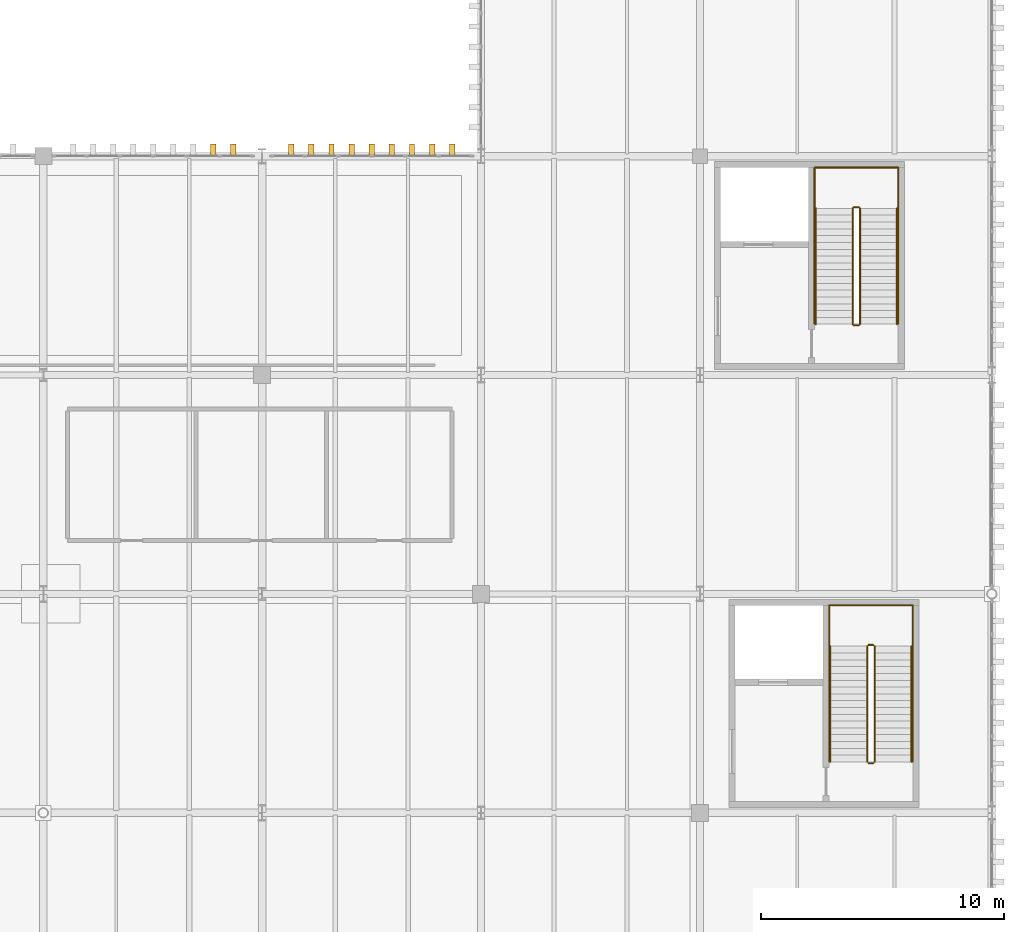
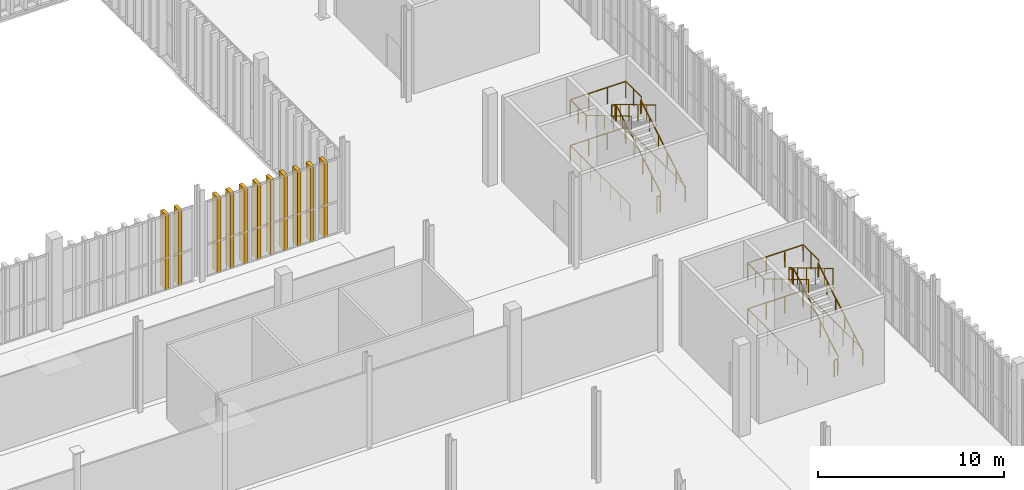
# One storey, part 202 of 211: 24 railings, 11 shading devices.
"""IFC4 building model written with IfcOpenShell, lengths in metres."""

from ifc_helpers import new_model, si_unit, direction, frame, origin, origin_2d, place, context, subcontext, project, spatial, rectangle, circle, extrude, material, type_object, element, save


model = new_model("IFC4")

# Units and contexts
model_context = context("Model", 3, precision=1e-05, world=origin(), true_north=direction((0.0, 1.0)))
body_context = subcontext(model_context, "Body", "Model", "MODEL_VIEW")
ifc_project = project(units=[si_unit("LENGTHUNIT", "METRE"), si_unit("AREAUNIT", "SQUARE_METRE"), si_unit("VOLUMEUNIT", "CUBIC_METRE"), si_unit("PLANEANGLEUNIT", "RADIAN"), si_unit("MASSUNIT", "GRAM", prefix="KILO")], contexts=[model_context])

# Site, building, storey
site_placement = place(None, origin())
site = spatial("IfcSite", under=ifc_project, at=site_placement, CompositionType="ELEMENT")
building_placement = place(site_placement, origin())
building = spatial("IfcBuilding", under=site, at=building_placement, Name="Barlavento Convention Centre", CompositionType="ELEMENT")
storey_placement = place(building_placement, frame((0.0, 0.0, 6.0)))
storey = spatial("IfcBuildingStorey", under=building, at=storey_placement, Name="L01", CompositionType="ELEMENT", Elevation=6.0)

# Railings
ifc_material_1 = material(Name="Stainless steel and laminated glass balustrade", Category="steel")
railing_type_1 = type_object("IfcRailingType", Name="ARC-RAL-BAL-1100", PredefinedType="BALUSTRADE", material=ifc_material_1)
railing_1_placement = place(storey_placement, frame((186.580078125, 56.090087890625, 0.166748046875)))
element("IfcRailing", 1, at=railing_1_placement, inside=storey, type_object=railing_type_1, Name="L01 ST05 stair guard 1", PredefinedType="BALUSTRADE", context=body_context, shape_type="SweptSolid", body=[
    extrude(circle(Radius=0.02392578125, at=origin_2d()), frame((0.0, 0.0, 1.076171875), z_axis=(0.0, 0.859299802514, 0.511472237174), x_axis=(-1.0, 0.0, 0.0)), (0.0, 0.0, 1.0), 5.539306640625),
    extrude(circle(Radius=0.02099609375, at=origin_2d()), origin(), (0.0, 0.0, 1.0), 1.052001953125),
    extrude(circle(Radius=0.02099609375, at=origin_2d()), frame((0.0, 0.951904296875, 0.566650390625)), (0.0, 0.0, 1.0), 1.052001953125),
    extrude(circle(Radius=0.02099609375, at=origin_2d()), frame((0.0, 1.904052734375, 1.13330078125)), (0.0, 0.0, 1.0), 1.052001953125),
    extrude(circle(Radius=0.02099609375, at=origin_2d()), frame((0.0, 2.85595703125, 1.699951171875)), (0.0, 0.0, 1.0), 1.052001953125),
    extrude(circle(Radius=0.02099609375, at=origin_2d()), frame((0.0, 3.80810546875, 2.2666015625)), (0.0, 0.0, 1.0), 1.052001953125),
    extrude(circle(Radius=0.02099609375, at=origin_2d()), frame((0.0, 4.760009765625, 2.833251953125)), (0.0, 0.0, 1.0), 1.052001953125),
])
railing_2_placement = place(storey_placement, frame((186.530029296875, 60.89990234375, 3.0)))
element("IfcRailing", 2, at=railing_2_placement, inside=storey, type_object=railing_type_1, Name="L01 ST05 stair guard 2", PredefinedType="BALUSTRADE", context=body_context, shape_type="SweptSolid", body=[
    extrude(circle(Radius=0.02392578125, at=origin_2d()), frame((0.0, 0.0, 1.076171875), z_axis=(-1.0, 0.0, 0.0), x_axis=(0.0, -1.0, 0.0)), (0.0, 0.0, 1.0), 0.199951171875),
    extrude(circle(Radius=0.02099609375, at=origin_2d()), origin(), (0.0, 0.0, 1.0), 1.052001953125),
    extrude(circle(Radius=0.02099609375, at=origin_2d()), frame((-0.199951171875, 0.0, 0.0)), (0.0, 0.0, 1.0), 1.052001953125),
])
railing_3_placement = place(storey_placement, frame((186.280029296875, 60.85009765625, 3.166748046875)))
element("IfcRailing", 3, at=railing_3_placement, inside=storey, type_object=railing_type_1, Name="L01 ST05 stair guard 3", PredefinedType="BALUSTRADE", context=body_context, shape_type="SweptSolid", body=[
    extrude(circle(Radius=0.02392578125, at=origin_2d()), frame((0.0, 0.0, 1.076171875), z_axis=(0.0, -0.859299802514, 0.511472237174), x_axis=(1.0, 0.0, 0.0)), (0.0, 0.0, 1.0), 5.539306640625),
    extrude(circle(Radius=0.02099609375, at=origin_2d()), origin(), (0.0, 0.0, 1.0), 1.052001953125),
    extrude(circle(Radius=0.02099609375, at=origin_2d()), frame((0.0, -0.951904296875, 0.566650390625)), (0.0, 0.0, 1.0), 1.052001953125),
    extrude(circle(Radius=0.02099609375, at=origin_2d()), frame((0.0, -1.904052734375, 1.13330078125)), (0.0, 0.0, 1.0), 1.052001953125),
    extrude(circle(Radius=0.02099609375, at=origin_2d()), frame((0.0, -2.85595703125, 1.699951171875)), (0.0, 0.0, 1.0), 1.052001953125),
    extrude(circle(Radius=0.02099609375, at=origin_2d()), frame((0.0, -3.80810546875, 2.2666015625)), (0.0, 0.0, 1.0), 1.052001953125),
    extrude(circle(Radius=0.02099609375, at=origin_2d()), frame((0.0, -4.760009765625, 2.833251953125)), (0.0, 0.0, 1.0), 1.052001953125),
])
railing_4_placement = place(storey_placement, frame((186.530029296875, 56.0400390625, 0.0)))
element("IfcRailing", 4, at=railing_4_placement, inside=storey, type_object=railing_type_1, Name="L01 ST05 stair guard 4", PredefinedType="BALUSTRADE", context=body_context, shape_type="SweptSolid", body=[
    extrude(circle(Radius=0.02392578125, at=origin_2d()), frame((0.0, 0.0, 1.076171875), z_axis=(-1.0, 0.0, 0.0), x_axis=(0.0, -1.0, 0.0)), (0.0, 0.0, 1.0), 0.199951171875),
    extrude(circle(Radius=0.02099609375, at=origin_2d()), origin(), (0.0, 0.0, 1.0), 1.052001953125),
    extrude(circle(Radius=0.02099609375, at=origin_2d()), frame((-0.199951171875, 0.0, 0.0)), (0.0, 0.0, 1.0), 1.052001953125),
])
for number, where, name in (
    (5, (188.14990234375, 60.85009765625, 3.0), "L01 landing guard GR01"),
    (6, (184.7099609375, 60.85009765625, 3.0), "L01 landing guard GR01"),
):
    element("IfcRailing", number, at=place(storey_placement, frame(where)), inside=storey, type_object=railing_type_1, Name=name, PredefinedType="BALUSTRADE", context=body_context, shape_type="SweptSolid", body=[
        extrude(circle(Radius=0.02392578125, at=origin_2d()), frame((0.0, 0.0, 1.076171875), z_axis=(0.0, 1.0, 0.0), x_axis=(-1.0, 0.0, 0.0)), (0.0, 0.0, 1.0), 1.679931640625),
        extrude(circle(Radius=0.02099609375, at=origin_2d()), origin(), (0.0, 0.0, 1.0), 1.052001953125),
        extrude(circle(Radius=0.02099609375, at=origin_2d()), frame((0.0, 0.83984375, 0.0)), (0.0, 0.0, 1.0), 1.052001953125),
        extrude(circle(Radius=0.02099609375, at=origin_2d()), frame((0.0, 1.679931640625, 0.0)), (0.0, 0.0, 1.0), 1.052001953125),
    ])
railing_5_placement = place(storey_placement, frame((188.14990234375, 62.530029296875, 3.0)))
element("IfcRailing", 7, at=railing_5_placement, inside=storey, type_object=railing_type_1, Name="L01 landing guard GR01", PredefinedType="BALUSTRADE", context=body_context, shape_type="SweptSolid", body=[
    extrude(circle(Radius=0.02392578125, at=origin_2d()), frame((0.0, 0.0, 1.076171875), z_axis=(-1.0, 0.0, 0.0), x_axis=(0.0, -1.0, 0.0)), (0.0, 0.0, 1.0), 3.43994140625),
    extrude(circle(Radius=0.02099609375, at=origin_2d()), origin(), (0.0, 0.0, 1.0), 1.052001953125),
    extrude(circle(Radius=0.02099609375, at=origin_2d()), frame((-1.146728515625, 0.0, 0.0)), (0.0, 0.0, 1.0), 1.052001953125),
    extrude(circle(Radius=0.02099609375, at=origin_2d()), frame((-2.293212890625, 0.0, 0.0)), (0.0, 0.0, 1.0), 1.052001953125),
    extrude(circle(Radius=0.02099609375, at=origin_2d()), frame((-3.43994140625, 0.0, 0.0)), (0.0, 0.0, 1.0), 1.052001953125),
])
railing_6_placement = place(storey_placement, frame((188.14990234375, 56.114990234375, 0.0)))
element("IfcRailing", 8, at=railing_6_placement, inside=storey, type_object=railing_type_1, Name="L01 stairwell perimeter guard GR01", PredefinedType="BALUSTRADE", context=body_context, shape_type="SweptSolid", body=[
    extrude(circle(Radius=0.02392578125, at=origin_2d()), frame((0.0, 0.0, 1.076171875), z_axis=(0.0, 1.0, 0.0), x_axis=(-1.0, 0.0, 0.0)), (0.0, 0.0, 1.0), 6.4150390625),
    extrude(circle(Radius=0.02099609375, at=origin_2d()), origin(), (0.0, 0.0, 1.0), 1.052001953125),
    extrude(circle(Radius=0.02099609375, at=origin_2d()), frame((0.0, 1.069091796875, 0.0)), (0.0, 0.0, 1.0), 1.052001953125),
    extrude(circle(Radius=0.02099609375, at=origin_2d()), frame((0.0, 2.138427734375, 0.0)), (0.0, 0.0, 1.0), 1.052001953125),
    extrude(circle(Radius=0.02099609375, at=origin_2d()), frame((0.0, 3.20751953125, 0.0)), (0.0, 0.0, 1.0), 1.052001953125),
    extrude(circle(Radius=0.02099609375, at=origin_2d()), frame((0.0, 4.276611328125, 0.0)), (0.0, 0.0, 1.0), 1.052001953125),
    extrude(circle(Radius=0.02099609375, at=origin_2d()), frame((0.0, 5.345947265625, 0.0)), (0.0, 0.0, 1.0), 1.052001953125),
    extrude(circle(Radius=0.02099609375, at=origin_2d()), frame((0.0, 6.4150390625, 0.0)), (0.0, 0.0, 1.0), 1.052001953125),
])
railing_7_placement = place(storey_placement, frame((188.14990234375, 62.530029296875, 0.0)))
element("IfcRailing", 9, at=railing_7_placement, inside=storey, type_object=railing_type_1, Name="L01 stairwell perimeter guard GR01", PredefinedType="BALUSTRADE", context=body_context, shape_type="SweptSolid", body=[
    extrude(circle(Radius=0.02392578125, at=origin_2d()), frame((0.0, 0.0, 1.076171875), z_axis=(-1.0, 0.0, 0.0), x_axis=(0.0, -1.0, 0.0)), (0.0, 0.0, 1.0), 3.43994140625),
    extrude(circle(Radius=0.02099609375, at=origin_2d()), origin(), (0.0, 0.0, 1.0), 1.052001953125),
    extrude(circle(Radius=0.02099609375, at=origin_2d()), frame((-1.146728515625, 0.0, 0.0)), (0.0, 0.0, 1.0), 1.052001953125),
    extrude(circle(Radius=0.02099609375, at=origin_2d()), frame((-2.293212890625, 0.0, 0.0)), (0.0, 0.0, 1.0), 1.052001953125),
    extrude(circle(Radius=0.02099609375, at=origin_2d()), frame((-3.43994140625, 0.0, 0.0)), (0.0, 0.0, 1.0), 1.052001953125),
])
railing_8_placement = place(storey_placement, frame((184.7099609375, 62.530029296875, 0.0)))
element("IfcRailing", 10, at=railing_8_placement, inside=storey, type_object=railing_type_1, Name="L01 stairwell perimeter guard GR01", PredefinedType="BALUSTRADE", context=body_context, shape_type="SweptSolid", body=[
    extrude(circle(Radius=0.02392578125, at=origin_2d()), frame((0.0, 0.0, 1.076171875), z_axis=(0.0, -1.0, 0.0), x_axis=(1.0, 0.0, 0.0)), (0.0, 0.0, 1.0), 6.4150390625),
    extrude(circle(Radius=0.02099609375, at=origin_2d()), origin(), (0.0, 0.0, 1.0), 1.052001953125),
    extrude(circle(Radius=0.02099609375, at=origin_2d()), frame((0.0, -1.069091796875, 0.0)), (0.0, 0.0, 1.0), 1.052001953125),
    extrude(circle(Radius=0.02099609375, at=origin_2d()), frame((0.0, -2.138427734375, 0.0)), (0.0, 0.0, 1.0), 1.052001953125),
    extrude(circle(Radius=0.02099609375, at=origin_2d()), frame((0.0, -3.20751953125, 0.0)), (0.0, 0.0, 1.0), 1.052001953125),
    extrude(circle(Radius=0.02099609375, at=origin_2d()), frame((0.0, -4.276611328125, 0.0)), (0.0, 0.0, 1.0), 1.052001953125),
    extrude(circle(Radius=0.02099609375, at=origin_2d()), frame((0.0, -5.345947265625, 0.0)), (0.0, 0.0, 1.0), 1.052001953125),
    extrude(circle(Radius=0.02099609375, at=origin_2d()), frame((0.0, -6.4150390625, 0.0)), (0.0, 0.0, 1.0), 1.052001953125),
])
railing_9_placement = place(storey_placement, frame((187.179931640625, 38.090087890625, 0.166748046875)))
element("IfcRailing", 11, at=railing_9_placement, inside=storey, type_object=railing_type_1, Name="L01 ST06 stair guard 1", PredefinedType="BALUSTRADE", context=body_context, shape_type="SweptSolid", body=[
    extrude(circle(Radius=0.02392578125, at=origin_2d()), frame((0.0, 0.0, 1.076171875), z_axis=(0.0, 0.859299802514, 0.511472237174), x_axis=(-1.0, 0.0, 0.0)), (0.0, 0.0, 1.0), 5.539306640625),
    extrude(circle(Radius=0.02099609375, at=origin_2d()), origin(), (0.0, 0.0, 1.0), 1.052001953125),
    extrude(circle(Radius=0.02099609375, at=origin_2d()), frame((0.0, 0.951904296875, 0.566650390625)), (0.0, 0.0, 1.0), 1.052001953125),
    extrude(circle(Radius=0.02099609375, at=origin_2d()), frame((0.0, 1.904052734375, 1.13330078125)), (0.0, 0.0, 1.0), 1.052001953125),
    extrude(circle(Radius=0.02099609375, at=origin_2d()), frame((0.0, 2.85595703125, 1.699951171875)), (0.0, 0.0, 1.0), 1.052001953125),
    extrude(circle(Radius=0.02099609375, at=origin_2d()), frame((0.0, 3.80810546875, 2.2666015625)), (0.0, 0.0, 1.0), 1.052001953125),
    extrude(circle(Radius=0.02099609375, at=origin_2d()), frame((0.0, 4.760009765625, 2.833251953125)), (0.0, 0.0, 1.0), 1.052001953125),
])
railing_10_placement = place(storey_placement, frame((187.1298828125, 42.89990234375, 3.0)))
element("IfcRailing", 12, at=railing_10_placement, inside=storey, type_object=railing_type_1, Name="L01 ST06 stair guard 2", PredefinedType="BALUSTRADE", context=body_context, shape_type="SweptSolid", body=[
    extrude(circle(Radius=0.02392578125, at=origin_2d()), frame((0.0, 0.0, 1.076171875), z_axis=(-1.0, 0.0, 0.0), x_axis=(0.0, -1.0, 0.0)), (0.0, 0.0, 1.0), 0.199951171875),
    extrude(circle(Radius=0.02099609375, at=origin_2d()), origin(), (0.0, 0.0, 1.0), 1.052001953125),
    extrude(circle(Radius=0.02099609375, at=origin_2d()), frame((-0.199951171875, 0.0, 0.0)), (0.0, 0.0, 1.0), 1.052001953125),
])
railing_11_placement = place(storey_placement, frame((186.8798828125, 42.85009765625, 3.166748046875)))
element("IfcRailing", 13, at=railing_11_placement, inside=storey, type_object=railing_type_1, Name="L01 ST06 stair guard 3", PredefinedType="BALUSTRADE", context=body_context, shape_type="SweptSolid", body=[
    extrude(circle(Radius=0.02392578125, at=origin_2d()), frame((0.0, 0.0, 1.076171875), z_axis=(0.0, -0.859299802514, 0.511472237174), x_axis=(1.0, 0.0, 0.0)), (0.0, 0.0, 1.0), 5.539306640625),
    extrude(circle(Radius=0.02099609375, at=origin_2d()), origin(), (0.0, 0.0, 1.0), 1.052001953125),
    extrude(circle(Radius=0.02099609375, at=origin_2d()), frame((0.0, -0.951904296875, 0.566650390625)), (0.0, 0.0, 1.0), 1.052001953125),
    extrude(circle(Radius=0.02099609375, at=origin_2d()), frame((0.0, -1.904052734375, 1.13330078125)), (0.0, 0.0, 1.0), 1.052001953125),
    extrude(circle(Radius=0.02099609375, at=origin_2d()), frame((0.0, -2.85595703125, 1.699951171875)), (0.0, 0.0, 1.0), 1.052001953125),
    extrude(circle(Radius=0.02099609375, at=origin_2d()), frame((0.0, -3.80810546875, 2.2666015625)), (0.0, 0.0, 1.0), 1.052001953125),
    extrude(circle(Radius=0.02099609375, at=origin_2d()), frame((0.0, -4.760009765625, 2.833251953125)), (0.0, 0.0, 1.0), 1.052001953125),
])
railing_12_placement = place(storey_placement, frame((187.1298828125, 38.0400390625, 0.0)))
element("IfcRailing", 14, at=railing_12_placement, inside=storey, type_object=railing_type_1, Name="L01 ST06 stair guard 4", PredefinedType="BALUSTRADE", context=body_context, shape_type="SweptSolid", body=[
    extrude(circle(Radius=0.02392578125, at=origin_2d()), frame((0.0, 0.0, 1.076171875), z_axis=(-1.0, 0.0, 0.0), x_axis=(0.0, -1.0, 0.0)), (0.0, 0.0, 1.0), 0.199951171875),
    extrude(circle(Radius=0.02099609375, at=origin_2d()), origin(), (0.0, 0.0, 1.0), 1.052001953125),
    extrude(circle(Radius=0.02099609375, at=origin_2d()), frame((-0.199951171875, 0.0, 0.0)), (0.0, 0.0, 1.0), 1.052001953125),
])
for number, where, name in (
    (15, (188.75, 42.85009765625, 3.0), "L01 landing guard GR01"),
    (16, (185.31005859375, 42.85009765625, 3.0), "L01 landing guard GR01"),
):
    element("IfcRailing", number, at=place(storey_placement, frame(where)), inside=storey, type_object=railing_type_1, Name=name, PredefinedType="BALUSTRADE", context=body_context, shape_type="SweptSolid", body=[
        extrude(circle(Radius=0.02392578125, at=origin_2d()), frame((0.0, 0.0, 1.076171875), z_axis=(0.0, 1.0, 0.0), x_axis=(-1.0, 0.0, 0.0)), (0.0, 0.0, 1.0), 1.679931640625),
        extrude(circle(Radius=0.02099609375, at=origin_2d()), origin(), (0.0, 0.0, 1.0), 1.052001953125),
        extrude(circle(Radius=0.02099609375, at=origin_2d()), frame((0.0, 0.83984375, 0.0)), (0.0, 0.0, 1.0), 1.052001953125),
        extrude(circle(Radius=0.02099609375, at=origin_2d()), frame((0.0, 1.679931640625, 0.0)), (0.0, 0.0, 1.0), 1.052001953125),
    ])
railing_13_placement = place(storey_placement, frame((188.75, 44.530029296875, 3.0)))
element("IfcRailing", 17, at=railing_13_placement, inside=storey, type_object=railing_type_1, Name="L01 landing guard GR01", PredefinedType="BALUSTRADE", context=body_context, shape_type="SweptSolid", body=[
    extrude(circle(Radius=0.02392578125, at=origin_2d()), frame((0.0, 0.0, 1.076171875), z_axis=(-1.0, 0.0, 0.0), x_axis=(0.0, -1.0, 0.0)), (0.0, 0.0, 1.0), 3.43994140625),
    extrude(circle(Radius=0.02099609375, at=origin_2d()), origin(), (0.0, 0.0, 1.0), 1.052001953125),
    extrude(circle(Radius=0.02099609375, at=origin_2d()), frame((-1.146728515625, 0.0, 0.0)), (0.0, 0.0, 1.0), 1.052001953125),
    extrude(circle(Radius=0.02099609375, at=origin_2d()), frame((-2.293212890625, 0.0, 0.0)), (0.0, 0.0, 1.0), 1.052001953125),
    extrude(circle(Radius=0.02099609375, at=origin_2d()), frame((-3.43994140625, 0.0, 0.0)), (0.0, 0.0, 1.0), 1.052001953125),
])
railing_14_placement = place(storey_placement, frame((188.75, 38.114990234375, 0.0)))
element("IfcRailing", 18, at=railing_14_placement, inside=storey, type_object=railing_type_1, Name="L01 stairwell perimeter guard GR01", PredefinedType="BALUSTRADE", context=body_context, shape_type="SweptSolid", body=[
    extrude(circle(Radius=0.02392578125, at=origin_2d()), frame((0.0, 0.0, 1.076171875), z_axis=(0.0, 1.0, 0.0), x_axis=(-1.0, 0.0, 0.0)), (0.0, 0.0, 1.0), 6.4150390625),
    extrude(circle(Radius=0.02099609375, at=origin_2d()), origin(), (0.0, 0.0, 1.0), 1.052001953125),
    extrude(circle(Radius=0.02099609375, at=origin_2d()), frame((0.0, 1.069091796875, 0.0)), (0.0, 0.0, 1.0), 1.052001953125),
    extrude(circle(Radius=0.02099609375, at=origin_2d()), frame((0.0, 2.138427734375, 0.0)), (0.0, 0.0, 1.0), 1.052001953125),
    extrude(circle(Radius=0.02099609375, at=origin_2d()), frame((0.0, 3.20751953125, 0.0)), (0.0, 0.0, 1.0), 1.052001953125),
    extrude(circle(Radius=0.02099609375, at=origin_2d()), frame((0.0, 4.276611328125, 0.0)), (0.0, 0.0, 1.0), 1.052001953125),
    extrude(circle(Radius=0.02099609375, at=origin_2d()), frame((0.0, 5.345947265625, 0.0)), (0.0, 0.0, 1.0), 1.052001953125),
    extrude(circle(Radius=0.02099609375, at=origin_2d()), frame((0.0, 6.4150390625, 0.0)), (0.0, 0.0, 1.0), 1.052001953125),
])
railing_15_placement = place(storey_placement, frame((188.75, 44.530029296875, 0.0)))
element("IfcRailing", 19, at=railing_15_placement, inside=storey, type_object=railing_type_1, Name="L01 stairwell perimeter guard GR01", PredefinedType="BALUSTRADE", context=body_context, shape_type="SweptSolid", body=[
    extrude(circle(Radius=0.02392578125, at=origin_2d()), frame((0.0, 0.0, 1.076171875), z_axis=(-1.0, 0.0, 0.0), x_axis=(0.0, -1.0, 0.0)), (0.0, 0.0, 1.0), 3.43994140625),
    extrude(circle(Radius=0.02099609375, at=origin_2d()), origin(), (0.0, 0.0, 1.0), 1.052001953125),
    extrude(circle(Radius=0.02099609375, at=origin_2d()), frame((-1.146728515625, 0.0, 0.0)), (0.0, 0.0, 1.0), 1.052001953125),
    extrude(circle(Radius=0.02099609375, at=origin_2d()), frame((-2.293212890625, 0.0, 0.0)), (0.0, 0.0, 1.0), 1.052001953125),
    extrude(circle(Radius=0.02099609375, at=origin_2d()), frame((-3.43994140625, 0.0, 0.0)), (0.0, 0.0, 1.0), 1.052001953125),
])
railing_16_placement = place(storey_placement, frame((185.31005859375, 44.530029296875, 0.0)))
element("IfcRailing", 20, at=railing_16_placement, inside=storey, type_object=railing_type_1, Name="L01 stairwell perimeter guard GR01", PredefinedType="BALUSTRADE", context=body_context, shape_type="SweptSolid", body=[
    extrude(circle(Radius=0.02392578125, at=origin_2d()), frame((0.0, 0.0, 1.076171875), z_axis=(0.0, -1.0, 0.0), x_axis=(1.0, 0.0, 0.0)), (0.0, 0.0, 1.0), 6.4150390625),
    extrude(circle(Radius=0.02099609375, at=origin_2d()), origin(), (0.0, 0.0, 1.0), 1.052001953125),
    extrude(circle(Radius=0.02099609375, at=origin_2d()), frame((0.0, -1.069091796875, 0.0)), (0.0, 0.0, 1.0), 1.052001953125),
    extrude(circle(Radius=0.02099609375, at=origin_2d()), frame((0.0, -2.138427734375, 0.0)), (0.0, 0.0, 1.0), 1.052001953125),
    extrude(circle(Radius=0.02099609375, at=origin_2d()), frame((0.0, -3.20751953125, 0.0)), (0.0, 0.0, 1.0), 1.052001953125),
    extrude(circle(Radius=0.02099609375, at=origin_2d()), frame((0.0, -4.276611328125, 0.0)), (0.0, 0.0, 1.0), 1.052001953125),
    extrude(circle(Radius=0.02099609375, at=origin_2d()), frame((0.0, -5.345947265625, 0.0)), (0.0, 0.0, 1.0), 1.052001953125),
    extrude(circle(Radius=0.02099609375, at=origin_2d()), frame((0.0, -6.4150390625, 0.0)), (0.0, 0.0, 1.0), 1.052001953125),
])
ifc_material_2 = material(Name="Brushed stainless steel tubular handrail", Category="steel")
railing_type_2 = type_object("IfcRailingType", Name="ARC-RAL-HR-900", PredefinedType="HANDRAIL", material=ifc_material_2)
railing_17_placement = place(storey_placement, frame((188.10009765625, 56.090087890625, 0.166748046875)))
element("IfcRailing", 21, at=railing_17_placement, inside=storey, type_object=railing_type_2, Name="L01 ST05 stair handrail 1", PredefinedType="HANDRAIL", context=body_context, shape_type="SweptSolid", body=[
    extrude(circle(Radius=0.02392578125, at=origin_2d()), frame((0.0, 0.0, 0.8759765625), z_axis=(0.0, 0.859299802514, 0.511472237174), x_axis=(-1.0, 0.0, 0.0)), (0.0, 0.0, 1.0), 5.539306640625),
    extrude(circle(Radius=0.02099609375, at=origin_2d()), origin(), (0.0, 0.0, 1.0), 0.851806640625),
    extrude(circle(Radius=0.02099609375, at=origin_2d()), frame((0.0, 0.951904296875, 0.566650390625)), (0.0, 0.0, 1.0), 0.851806640625),
    extrude(circle(Radius=0.02099609375, at=origin_2d()), frame((0.0, 1.904052734375, 1.13330078125)), (0.0, 0.0, 1.0), 0.851806640625),
    extrude(circle(Radius=0.02099609375, at=origin_2d()), frame((0.0, 2.85595703125, 1.699951171875)), (0.0, 0.0, 1.0), 0.851806640625),
    extrude(circle(Radius=0.02099609375, at=origin_2d()), frame((0.0, 3.80810546875, 2.2666015625)), (0.0, 0.0, 1.0), 0.851806640625),
    extrude(circle(Radius=0.02099609375, at=origin_2d()), frame((0.0, 4.760009765625, 2.833251953125)), (0.0, 0.0, 1.0), 0.851806640625),
])
railing_18_placement = place(storey_placement, frame((184.760009765625, 60.85009765625, 3.166748046875)))
element("IfcRailing", 22, at=railing_18_placement, inside=storey, type_object=railing_type_2, Name="L01 ST05 stair handrail 2", PredefinedType="HANDRAIL", context=body_context, shape_type="SweptSolid", body=[
    extrude(circle(Radius=0.02392578125, at=origin_2d()), frame((0.0, 0.0, 0.8759765625), z_axis=(0.0, -0.859299802514, 0.511472237174), x_axis=(1.0, 0.0, 0.0)), (0.0, 0.0, 1.0), 5.539306640625),
    extrude(circle(Radius=0.02099609375, at=origin_2d()), origin(), (0.0, 0.0, 1.0), 0.851806640625),
    extrude(circle(Radius=0.02099609375, at=origin_2d()), frame((0.0, -0.951904296875, 0.566650390625)), (0.0, 0.0, 1.0), 0.851806640625),
    extrude(circle(Radius=0.02099609375, at=origin_2d()), frame((0.0, -1.904052734375, 1.13330078125)), (0.0, 0.0, 1.0), 0.851806640625),
    extrude(circle(Radius=0.02099609375, at=origin_2d()), frame((0.0, -2.85595703125, 1.699951171875)), (0.0, 0.0, 1.0), 0.851806640625),
    extrude(circle(Radius=0.02099609375, at=origin_2d()), frame((0.0, -3.80810546875, 2.2666015625)), (0.0, 0.0, 1.0), 0.851806640625),
    extrude(circle(Radius=0.02099609375, at=origin_2d()), frame((0.0, -4.760009765625, 2.833251953125)), (0.0, 0.0, 1.0), 0.851806640625),
])
railing_19_placement = place(storey_placement, frame((188.699951171875, 38.090087890625, 0.166748046875)))
element("IfcRailing", 23, at=railing_19_placement, inside=storey, type_object=railing_type_2, Name="L01 ST06 stair handrail 1", PredefinedType="HANDRAIL", context=body_context, shape_type="SweptSolid", body=[
    extrude(circle(Radius=0.02392578125, at=origin_2d()), frame((0.0, 0.0, 0.8759765625), z_axis=(0.0, 0.859299802514, 0.511472237174), x_axis=(-1.0, 0.0, 0.0)), (0.0, 0.0, 1.0), 5.539306640625),
    extrude(circle(Radius=0.02099609375, at=origin_2d()), origin(), (0.0, 0.0, 1.0), 0.851806640625),
    extrude(circle(Radius=0.02099609375, at=origin_2d()), frame((0.0, 0.951904296875, 0.566650390625)), (0.0, 0.0, 1.0), 0.851806640625),
    extrude(circle(Radius=0.02099609375, at=origin_2d()), frame((0.0, 1.904052734375, 1.13330078125)), (0.0, 0.0, 1.0), 0.851806640625),
    extrude(circle(Radius=0.02099609375, at=origin_2d()), frame((0.0, 2.85595703125, 1.699951171875)), (0.0, 0.0, 1.0), 0.851806640625),
    extrude(circle(Radius=0.02099609375, at=origin_2d()), frame((0.0, 3.80810546875, 2.2666015625)), (0.0, 0.0, 1.0), 0.851806640625),
    extrude(circle(Radius=0.02099609375, at=origin_2d()), frame((0.0, 4.760009765625, 2.833251953125)), (0.0, 0.0, 1.0), 0.851806640625),
])
railing_20_placement = place(storey_placement, frame((185.360107421875, 42.85009765625, 3.166748046875)))
element("IfcRailing", 24, at=railing_20_placement, inside=storey, type_object=railing_type_2, Name="L01 ST06 stair handrail 2", PredefinedType="HANDRAIL", context=body_context, shape_type="SweptSolid", body=[
    extrude(circle(Radius=0.02392578125, at=origin_2d()), frame((0.0, 0.0, 0.8759765625), z_axis=(0.0, -0.859299802514, 0.511472237174), x_axis=(1.0, 0.0, 0.0)), (0.0, 0.0, 1.0), 5.539306640625),
    extrude(circle(Radius=0.02099609375, at=origin_2d()), origin(), (0.0, 0.0, 1.0), 0.851806640625),
    extrude(circle(Radius=0.02099609375, at=origin_2d()), frame((0.0, -0.951904296875, 0.566650390625)), (0.0, 0.0, 1.0), 0.851806640625),
    extrude(circle(Radius=0.02099609375, at=origin_2d()), frame((0.0, -1.904052734375, 1.13330078125)), (0.0, 0.0, 1.0), 0.851806640625),
    extrude(circle(Radius=0.02099609375, at=origin_2d()), frame((0.0, -2.85595703125, 1.699951171875)), (0.0, 0.0, 1.0), 0.851806640625),
    extrude(circle(Radius=0.02099609375, at=origin_2d()), frame((0.0, -3.80810546875, 2.2666015625)), (0.0, 0.0, 1.0), 0.851806640625),
    extrude(circle(Radius=0.02099609375, at=origin_2d()), frame((0.0, -4.760009765625, 2.833251953125)), (0.0, 0.0, 1.0), 0.851806640625),
])

# Shading devices
ifc_material_3 = material(Name="PVDF white extruded aluminium", Category="aluminium")
shading_device_type = type_object("IfcShadingDeviceType", Name="ARC-SHD-FIN-480", PredefinedType="USERDEFINED", material=ifc_material_3)
for number, where, z_axis, x_axis, name in (
    (25, (159.986083984375, 63.239990234375, 0.0), (0.0, 0.0, 1.0), (1.0, 0.0, 0.0), "White vertical solar shading fin VF01"),
    (26, (160.80810546875, 63.239990234375, 0.0), (0.0, 0.0, 1.0), (1.0, 0.0, 0.0), "White vertical solar shading fin VF01"),
    (27, (163.197021484375, 63.239990234375, 0.0), (0.0, 0.0, 1.0), (1.0, 0.0, 0.0), "White vertical solar shading fin VF01"),
    (28, (164.02392578125, 63.239990234375, 0.0), (0.0, 0.0, 1.0), (1.0, 0.0, 0.0), "White vertical solar shading fin VF01"),
    (29, (164.85107421875, 63.239990234375, 0.0), (0.0, 0.0, 1.0), (1.0, 0.0, 0.0), "White vertical solar shading fin VF01"),
    (30, (165.677978515625, 63.239990234375, 0.0), (0.0, 0.0, 1.0), (1.0, 0.0, 0.0), "White vertical solar shading fin VF01"),
    (31, (166.5048828125, 63.239990234375, 0.0), (0.0, 0.0, 1.0), (1.0, 0.0, 0.0), "White vertical solar shading fin VF01"),
    (32, (167.33203125, 63.239990234375, 0.0), (0.0, 0.0, 1.0), (1.0, 0.0, 0.0), "White vertical solar shading fin VF01"),
    (33, (168.158935546875, 63.239990234375, 0.0), (0.0, 0.0, 1.0), (1.0, 0.0, 0.0), "White vertical solar shading fin VF01"),
    (34, (168.986083984375, 63.239990234375, 0.0), (0.0, 0.0, 1.0), (1.0, 0.0, 0.0), "White vertical solar shading fin VF01"),
    (35, (169.81298828125, 63.239990234375, 0.0), (0.0, 0.0, 1.0), (1.0, 0.0, 0.0), "White vertical solar shading fin VF01"),
):
    element("IfcShadingDevice", number, at=place(storey_placement, frame(where, z_axis=z_axis, x_axis=x_axis)), inside=storey, type_object=shading_device_type, Name=name, ObjectType="FIN", PredefinedType="USERDEFINED", context=body_context, shape_type="SweptSolid", body=[
        extrude(rectangle(XDim=0.219970703125, YDim=0.52001953125, at=origin_2d()), origin(), (0.0, 0.0, 1.0), 4.949951171875),
    ])

save(model, "model.ifc")
